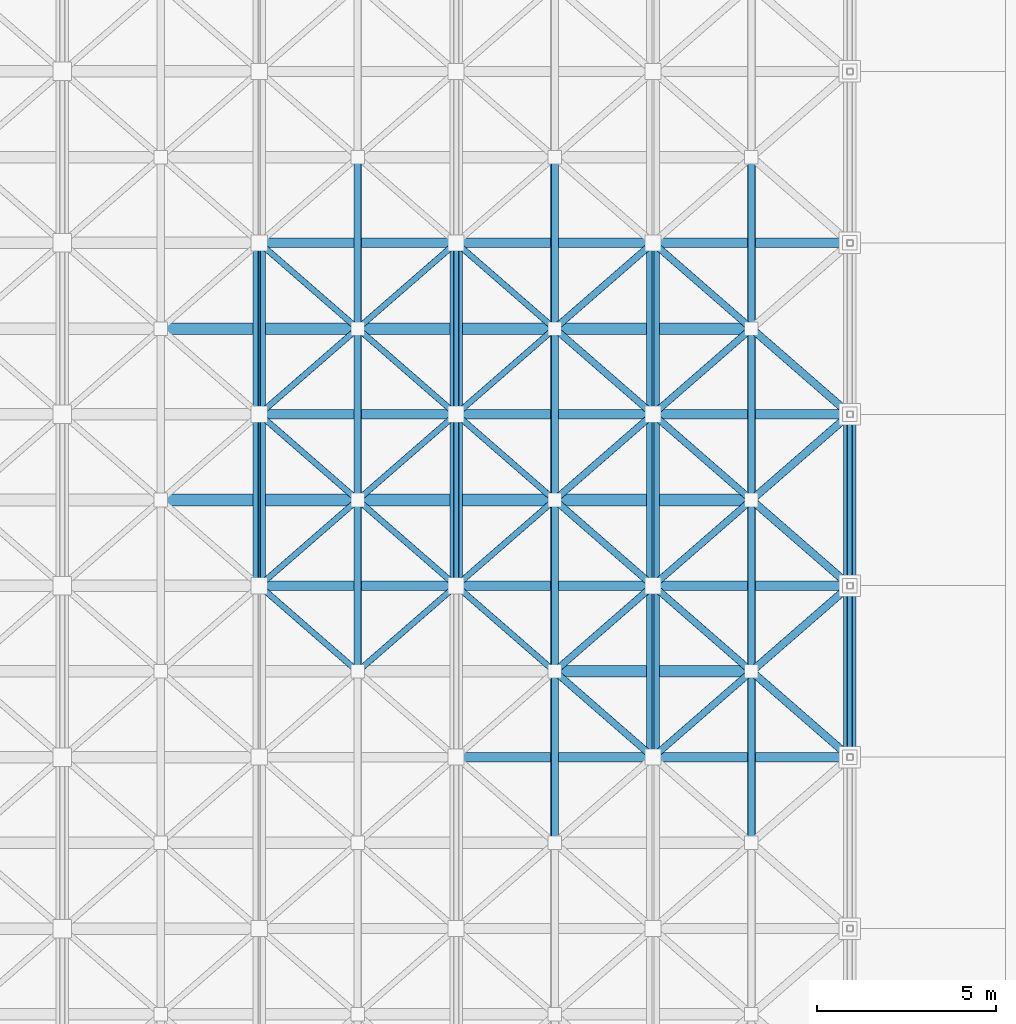
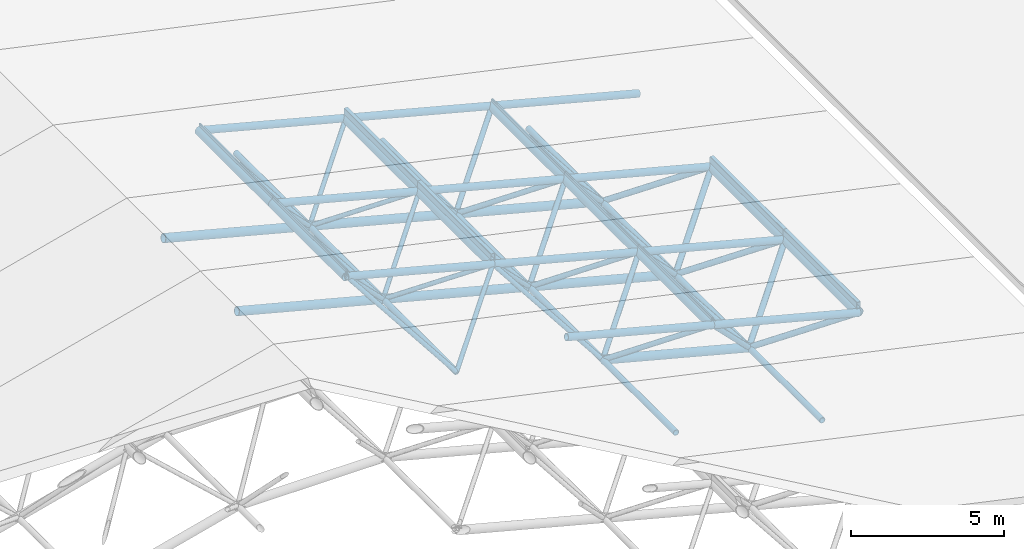
# One storey, part 6 of 60: 79 members.
"""IFC4 building model written with IfcOpenShell, lengths in metres."""

from ifc_helpers import new_model, si_unit, direction, frame, origin, origin_2d, place, context, subcontext, project, spatial, hollow_rectangle, hollow_circle, extrude, material, material_profile, profile_set, type_object, element, save


model = new_model("IFC4")

# Units and contexts
model_context = context("Model", 3, precision=1e-05, world=origin(), true_north=direction((0.0, 1.0)))
body_context = subcontext(model_context, "Body", "Model", "MODEL_VIEW")
ifc_project = project(units=[si_unit("LENGTHUNIT", "METRE"), si_unit("AREAUNIT", "SQUARE_METRE"), si_unit("VOLUMEUNIT", "CUBIC_METRE"), si_unit("PLANEANGLEUNIT", "RADIAN"), si_unit("MASSUNIT", "GRAM", prefix="KILO")], contexts=[model_context])

# Site, building, storey
site_placement = place(None, origin())
site = spatial("IfcSite", under=ifc_project, at=site_placement, CompositionType="ELEMENT")
building_placement = place(site_placement, origin())
building = spatial("IfcBuilding", under=site, at=building_placement, Name="Nakhvara Creek Congress Hotel", CompositionType="ELEMENT")
storey_placement = place(building_placement, frame((0.0, 0.0, 54.60009765625)))
storey = spatial("IfcBuildingStorey", under=building, at=storey_placement, Name="RL1", CompositionType="ELEMENT", Elevation=54.60009765625)

# Members
ifc_material = material(Name="Steel S355J2H", Category="steel")
ifc_material_profile_1 = material_profile(ifc_material, hollow_circle(Radius=0.084228515625, WallThickness=0.010009765625, at=origin_2d()), Name="CHS 168.3x10.0", Category="LoadBearing")
ifc_profile_set_1 = profile_set([ifc_material_profile_1], Name="Steel S355J2H")
member_type_1 = type_object("IfcMemberType", Name="MEM-BRC-CHS168H", PredefinedType="BRACE", material=ifc_profile_set_1)
member_1_placement = place(storey_placement, frame((39.46875, 50.39990234375, -34.050048828125), z_axis=(-0.558223547657, 0.486084649868, 0.672389904746), x_axis=(-0.656696195101, -0.754155227616, 0.0)))
element("IfcMember", 1, at=member_1_placement, inside=storey, type_object=member_type_1, Name="Congress Space Frame Web Diagonal 0371", PredefinedType="BRACE", context=body_context, shape_type="SweptSolid", body=[
    extrude(hollow_circle(Radius=0.084228515625, WallThickness=0.010009765625, at=origin_2d()), origin(), (0.0, 0.0, 1.0), 4.937744140625),
])
member_2_placement = place(storey_placement, frame((39.46875, 50.39990234375, -34.050048828125), z_axis=(0.670643902083, 0.583976988608, 0.45739220957), x_axis=(-0.656696195101, 0.754155227616, 0.0)))
element("IfcMember", 2, at=member_2_placement, inside=storey, type_object=member_type_1, Name="Congress Space Frame Web Diagonal 0372", PredefinedType="BRACE", context=body_context, shape_type="SweptSolid", body=[
    extrude(hollow_circle(Radius=0.084228515625, WallThickness=0.010009765625, at=origin_2d()), origin(), (0.0, 0.0, 1.0), 4.110107421875),
])
for number, where, z_axis, x_axis, name in (
    (3, (44.981201171875, 50.39990234375, -35.489990234375), (-0.558208068284, 0.486114227947, 0.672381372355), (-0.656729278158, -0.754126418587, 0.0), "Congress Space Frame Web Diagonal 0377"),
    (4, (39.46875, 55.199951171875, -34.050048828125), (-0.558236963804, -0.486046886997, 0.672406064728), (0.656658200939, -0.754188310132, 0.0), "Congress Space Frame Web Diagonal 0416"),
):
    element("IfcMember", number, at=place(storey_placement, frame(where, z_axis=z_axis, x_axis=x_axis)), inside=storey, type_object=member_type_1, Name=name, PredefinedType="BRACE", context=body_context, shape_type="SweptSolid", body=[
        extrude(hollow_circle(Radius=0.084228515625, WallThickness=0.010009765625, at=origin_2d()), origin(), (0.0, 0.0, 1.0), 4.9375),
    ])
member_3_placement = place(storey_placement, frame((39.46875, 55.199951171875, -34.050048828125), z_axis=(0.670667166184, -0.583937842656, 0.457408076139), x_axis=(0.656658200939, 0.754188310132, 0.0)))
element("IfcMember", 5, at=member_3_placement, inside=storey, type_object=member_type_1, Name="Congress Space Frame Web Diagonal 0417", PredefinedType="BRACE", context=body_context, shape_type="SweptSolid", body=[
    extrude(hollow_circle(Radius=0.084228515625, WallThickness=0.010009765625, at=origin_2d()), origin(), (0.0, 0.0, 1.0), 4.10986328125),
])
member_4_placement = place(storey_placement, frame((39.46875, 55.199951171875, -34.050048828125), z_axis=(-0.558223547657, 0.486084649868, 0.672389904746), x_axis=(-0.656696195101, -0.754155227616, 0.0)))
element("IfcMember", 6, at=member_4_placement, inside=storey, type_object=member_type_1, Name="Congress Space Frame Web Diagonal 0418", PredefinedType="BRACE", context=body_context, shape_type="SweptSolid", body=[
    extrude(hollow_circle(Radius=0.084228515625, WallThickness=0.010009765625, at=origin_2d()), origin(), (0.0, 0.0, 1.0), 4.937744140625),
])
member_5_placement = place(storey_placement, frame((39.46875, 55.199951171875, -34.050048828125), z_axis=(0.670643902083, 0.583976988608, 0.45739220957), x_axis=(-0.656696195101, 0.754155227616, 0.0)))
element("IfcMember", 7, at=member_5_placement, inside=storey, type_object=member_type_1, Name="Congress Space Frame Web Diagonal 0419", PredefinedType="BRACE", context=body_context, shape_type="SweptSolid", body=[
    extrude(hollow_circle(Radius=0.084228515625, WallThickness=0.010009765625, at=origin_2d()), origin(), (0.0, 0.0, 1.0), 4.110107421875),
])
member_6_placement = place(storey_placement, frame((44.981201171875, 55.199951171875, -35.489990234375), z_axis=(-0.558221485692, -0.4860764642, 0.672397534099), x_axis=(0.656691284984, -0.754159503173, 0.0)))
element("IfcMember", 8, at=member_6_placement, inside=storey, type_object=member_type_1, Name="Congress Space Frame Web Diagonal 0422", PredefinedType="BRACE", context=body_context, shape_type="SweptSolid", body=[
    extrude(hollow_circle(Radius=0.084228515625, WallThickness=0.010009765625, at=origin_2d()), origin(), (0.0, 0.0, 1.0), 4.937255859375),
])
for number, where, z_axis, x_axis, name in (
    (9, (44.981201171875, 55.199951171875, -35.489990234375), (-0.558208068284, 0.486114227947, 0.672381372355), (-0.656729278158, -0.754126418587, 0.0), "Congress Space Frame Web Diagonal 0424"),
    (10, (39.46875, 60.0, -34.050048828125), (-0.558236963804, -0.486046886997, 0.672406064728), (0.656658200939, -0.754188310132, 0.0), "Congress Space Frame Web Diagonal 0463"),
):
    element("IfcMember", number, at=place(storey_placement, frame(where, z_axis=z_axis, x_axis=x_axis)), inside=storey, type_object=member_type_1, Name=name, PredefinedType="BRACE", context=body_context, shape_type="SweptSolid", body=[
        extrude(hollow_circle(Radius=0.084228515625, WallThickness=0.010009765625, at=origin_2d()), origin(), (0.0, 0.0, 1.0), 4.9375),
    ])
member_7_placement = place(storey_placement, frame((39.46875, 60.0, -34.050048828125), z_axis=(0.670667166184, -0.583937842656, 0.457408076139), x_axis=(0.656658200939, 0.754188310132, 0.0)))
element("IfcMember", 11, at=member_7_placement, inside=storey, type_object=member_type_1, Name="Congress Space Frame Web Diagonal 0464", PredefinedType="BRACE", context=body_context, shape_type="SweptSolid", body=[
    extrude(hollow_circle(Radius=0.084228515625, WallThickness=0.010009765625, at=origin_2d()), origin(), (0.0, 0.0, 1.0), 4.10986328125),
])
member_8_placement = place(storey_placement, frame((39.46875, 60.0, -34.050048828125), z_axis=(-0.558236963804, 0.486046886997, 0.672406064728), x_axis=(-0.656658200939, -0.754188310132, 0.0)))
element("IfcMember", 12, at=member_8_placement, inside=storey, type_object=member_type_1, Name="Congress Space Frame Web Diagonal 0465", PredefinedType="BRACE", context=body_context, shape_type="SweptSolid", body=[
    extrude(hollow_circle(Radius=0.084228515625, WallThickness=0.010009765625, at=origin_2d()), origin(), (0.0, 0.0, 1.0), 4.9375),
])
member_9_placement = place(storey_placement, frame((39.46875, 60.0, -34.050048828125), z_axis=(0.670667166184, 0.583937842656, 0.457408076139), x_axis=(-0.656658200939, 0.754188310132, 0.0)))
element("IfcMember", 13, at=member_9_placement, inside=storey, type_object=member_type_1, Name="Congress Space Frame Web Diagonal 0466", PredefinedType="BRACE", context=body_context, shape_type="SweptSolid", body=[
    extrude(hollow_circle(Radius=0.084228515625, WallThickness=0.010009765625, at=origin_2d()), origin(), (0.0, 0.0, 1.0), 4.10986328125),
])
for number, where, z_axis, x_axis, name in (
    (14, (44.981201171875, 60.0, -35.489990234375), (-0.558221485692, -0.4860764642, 0.672397534099), (0.656691284984, -0.754159503173, 0.0), "Congress Space Frame Web Diagonal 0469"),
    (15, (44.981201171875, 60.0, -35.489990234375), (-0.558221485692, 0.4860764642, 0.672397534099), (-0.656691284984, -0.754159503173, 0.0), "Congress Space Frame Web Diagonal 0471"),
):
    element("IfcMember", number, at=place(storey_placement, frame(where, z_axis=z_axis, x_axis=x_axis)), inside=storey, type_object=member_type_1, Name=name, PredefinedType="BRACE", context=body_context, shape_type="SweptSolid", body=[
        extrude(hollow_circle(Radius=0.084228515625, WallThickness=0.010009765625, at=origin_2d()), origin(), (0.0, 0.0, 1.0), 4.937255859375),
    ])
ifc_material_profile_2 = material_profile(ifc_material, hollow_circle(Radius=0.096923828125, WallThickness=0.010009765625, at=origin_2d()), Name="CHS 193.7x10.0", Category="LoadBearing")
ifc_profile_set_2 = profile_set([ifc_material_profile_2], Name="Steel S355J2H")
member_type_2 = type_object("IfcMemberType", Name="MEM-BRC-CHS193", PredefinedType="BRACE", material=ifc_profile_set_2)
member_10_placement = place(storey_placement, frame((44.981201171875, 50.39990234375, -35.489990234375), z_axis=(0.670667166184, -0.583937842656, 0.457408076139), x_axis=(0.656658200939, 0.754188310132, 0.0)))
element("IfcMember", 16, at=member_10_placement, inside=storey, type_object=member_type_2, Name="Congress Space Frame Web Diagonal 0376", PredefinedType="BRACE", context=body_context, shape_type="SweptSolid", body=[
    extrude(hollow_circle(Radius=0.096923828125, WallThickness=0.010009765625, at=origin_2d()), origin(), (0.0, 0.0, 1.0), 4.10986328125),
])
member_11_placement = place(storey_placement, frame((44.981201171875, 50.39990234375, -35.489990234375), z_axis=(0.670643902083, 0.583976988608, 0.45739220957), x_axis=(-0.656696195101, 0.754155227616, 0.0)))
element("IfcMember", 17, at=member_11_placement, inside=storey, type_object=member_type_2, Name="Congress Space Frame Web Diagonal 0378", PredefinedType="BRACE", context=body_context, shape_type="SweptSolid", body=[
    extrude(hollow_circle(Radius=0.096923828125, WallThickness=0.010009765625, at=origin_2d()), origin(), (0.0, 0.0, 1.0), 4.110107421875),
])
for number, where, z_axis, x_axis, name in (
    (18, (50.49365234375, 50.39990234375, -36.93017578125), (-0.558202925689, -0.486060302908, 0.672424624541), (0.656691284984, -0.754159503173, 0.0), "Congress Space Frame Web Diagonal 0380"),
    (19, (50.49365234375, 50.39990234375, -36.93017578125), (-0.558189509619, 0.486098066176, 0.672408463221), (-0.656729278158, -0.754126418587, 0.0), "Congress Space Frame Web Diagonal 0382"),
):
    element("IfcMember", number, at=place(storey_placement, frame(where, z_axis=z_axis, x_axis=x_axis)), inside=storey, type_object=member_type_2, Name=name, PredefinedType="BRACE", context=body_context, shape_type="SweptSolid", body=[
        extrude(hollow_circle(Radius=0.096923828125, WallThickness=0.010009765625, at=origin_2d()), origin(), (0.0, 0.0, 1.0), 4.9375),
    ])
member_12_placement = place(storey_placement, frame((44.981201171875, 55.199951171875, -35.489990234375), z_axis=(0.670667166184, -0.583937842656, 0.457408076139), x_axis=(0.656658200939, 0.754188310132, 0.0)))
element("IfcMember", 20, at=member_12_placement, inside=storey, type_object=member_type_2, Name="Congress Space Frame Web Diagonal 0423", PredefinedType="BRACE", context=body_context, shape_type="SweptSolid", body=[
    extrude(hollow_circle(Radius=0.096923828125, WallThickness=0.010009765625, at=origin_2d()), origin(), (0.0, 0.0, 1.0), 4.10986328125),
])
member_13_placement = place(storey_placement, frame((44.981201171875, 55.199951171875, -35.489990234375), z_axis=(0.670643902083, 0.583976988608, 0.45739220957), x_axis=(-0.656696195101, 0.754155227616, 0.0)))
element("IfcMember", 21, at=member_13_placement, inside=storey, type_object=member_type_2, Name="Congress Space Frame Web Diagonal 0425", PredefinedType="BRACE", context=body_context, shape_type="SweptSolid", body=[
    extrude(hollow_circle(Radius=0.096923828125, WallThickness=0.010009765625, at=origin_2d()), origin(), (0.0, 0.0, 1.0), 4.110107421875),
])
for number, where, z_axis, x_axis, name in (
    (22, (50.49365234375, 55.199951171875, -36.93017578125), (-0.558202925689, -0.486060302908, 0.672424624541), (0.656691284984, -0.754159503173, 0.0), "Congress Space Frame Web Diagonal 0427"),
    (23, (50.49365234375, 55.199951171875, -36.93017578125), (-0.558189509619, 0.486098066176, 0.672408463221), (-0.656729278158, -0.754126418587, 0.0), "Congress Space Frame Web Diagonal 0429"),
):
    element("IfcMember", number, at=place(storey_placement, frame(where, z_axis=z_axis, x_axis=x_axis)), inside=storey, type_object=member_type_2, Name=name, PredefinedType="BRACE", context=body_context, shape_type="SweptSolid", body=[
        extrude(hollow_circle(Radius=0.096923828125, WallThickness=0.010009765625, at=origin_2d()), origin(), (0.0, 0.0, 1.0), 4.9375),
    ])
for number, where, z_axis, x_axis, name in (
    (24, (44.981201171875, 60.0, -35.489990234375), (0.670667166184, -0.583937842656, 0.457408076139), (0.656658200939, 0.754188310132, 0.0), "Congress Space Frame Web Diagonal 0470"),
    (25, (44.981201171875, 60.0, -35.489990234375), (0.670667166184, 0.583937842656, 0.457408076139), (-0.656658200939, 0.754188310132, 0.0), "Congress Space Frame Web Diagonal 0472"),
):
    element("IfcMember", number, at=place(storey_placement, frame(where, z_axis=z_axis, x_axis=x_axis)), inside=storey, type_object=member_type_2, Name=name, PredefinedType="BRACE", context=body_context, shape_type="SweptSolid", body=[
        extrude(hollow_circle(Radius=0.096923828125, WallThickness=0.010009765625, at=origin_2d()), origin(), (0.0, 0.0, 1.0), 4.10986328125),
    ])
for number, where, z_axis, x_axis, name in (
    (26, (50.49365234375, 60.0, -36.93017578125), (-0.558202925689, -0.486060302908, 0.672424624541), (0.656691284984, -0.754159503173, 0.0), "Congress Space Frame Web Diagonal 0474"),
    (27, (50.49365234375, 60.0, -36.93017578125), (-0.558202925689, 0.486060302908, 0.672424624541), (-0.656691284984, -0.754159503173, 0.0), "Congress Space Frame Web Diagonal 0476"),
):
    element("IfcMember", number, at=place(storey_placement, frame(where, z_axis=z_axis, x_axis=x_axis)), inside=storey, type_object=member_type_2, Name=name, PredefinedType="BRACE", context=body_context, shape_type="SweptSolid", body=[
        extrude(hollow_circle(Radius=0.096923828125, WallThickness=0.010009765625, at=origin_2d()), origin(), (0.0, 0.0, 1.0), 4.9375),
    ])
ifc_material_profile_3 = material_profile(ifc_material, hollow_circle(Radius=0.109619140625, WallThickness=0.010009765625, at=origin_2d()), Name="CHS 219.1x10.0", Category="LoadBearing")
ifc_profile_set_3 = profile_set([ifc_material_profile_3], Name="Steel S355J2H")
member_type_3 = type_object("IfcMemberType", Name="MEM-BRC-CHS219", PredefinedType="BRACE", material=ifc_profile_set_3)
member_14_placement = place(storey_placement, frame((50.49365234375, 50.39990234375, -36.93017578125), z_axis=(0.670648942571, -0.583921975684, 0.457455049313), x_axis=(0.656658200939, 0.754188310132, 0.0)))
element("IfcMember", 28, at=member_14_placement, inside=storey, type_object=member_type_3, Name="Congress Space Frame Web Diagonal 0381", PredefinedType="BRACE", context=body_context, shape_type="SweptSolid", body=[
    extrude(hollow_circle(Radius=0.109619140625, WallThickness=0.010009765625, at=origin_2d()), origin(), (0.0, 0.0, 1.0), 4.10986328125),
])
member_15_placement = place(storey_placement, frame((50.49365234375, 50.39990234375, -36.93017578125), z_axis=(0.670625680367, 0.583961121673, 0.457439181976), x_axis=(-0.656696195101, 0.754155227616, 0.0)))
element("IfcMember", 29, at=member_15_placement, inside=storey, type_object=member_type_3, Name="Congress Space Frame Web Diagonal 0383", PredefinedType="BRACE", context=body_context, shape_type="SweptSolid", body=[
    extrude(hollow_circle(Radius=0.109619140625, WallThickness=0.010009765625, at=origin_2d()), origin(), (0.0, 0.0, 1.0), 4.110107421875),
])
member_16_placement = place(storey_placement, frame((50.49365234375, 55.199951171875, -36.93017578125), z_axis=(0.670648942571, -0.583921975684, 0.457455049313), x_axis=(0.656658200939, 0.754188310132, 0.0)))
element("IfcMember", 30, at=member_16_placement, inside=storey, type_object=member_type_3, Name="Congress Space Frame Web Diagonal 0428", PredefinedType="BRACE", context=body_context, shape_type="SweptSolid", body=[
    extrude(hollow_circle(Radius=0.109619140625, WallThickness=0.010009765625, at=origin_2d()), origin(), (0.0, 0.0, 1.0), 4.10986328125),
])
member_17_placement = place(storey_placement, frame((50.49365234375, 55.199951171875, -36.93017578125), z_axis=(0.670625680367, 0.583961121673, 0.457439181976), x_axis=(-0.656696195101, 0.754155227616, 0.0)))
element("IfcMember", 31, at=member_17_placement, inside=storey, type_object=member_type_3, Name="Congress Space Frame Web Diagonal 0430", PredefinedType="BRACE", context=body_context, shape_type="SweptSolid", body=[
    extrude(hollow_circle(Radius=0.109619140625, WallThickness=0.010009765625, at=origin_2d()), origin(), (0.0, 0.0, 1.0), 4.110107421875),
])
member_18_placement = place(storey_placement, frame((50.49365234375, 60.0, -36.93017578125), z_axis=(0.670648942571, -0.583921975684, 0.457455049313), x_axis=(0.656658200939, 0.754188310132, 0.0)))
element("IfcMember", 32, at=member_18_placement, inside=storey, type_object=member_type_3, Name="Congress Space Frame Web Diagonal 0475", PredefinedType="BRACE", context=body_context, shape_type="SweptSolid", body=[
    extrude(hollow_circle(Radius=0.109619140625, WallThickness=0.010009765625, at=origin_2d()), origin(), (0.0, 0.0, 1.0), 4.10986328125),
])
ifc_material_profile_4 = material_profile(ifc_material, hollow_circle(Radius=0.109619140625, WallThickness=0.012451171875, at=origin_2d()), Name="CHS 219.1x12.5", Category="LoadBearing")
ifc_profile_set_4 = profile_set([ifc_material_profile_4], Name="Steel S355J2H")
member_type_4 = type_object("IfcMemberType", Name="MEM-CHD-CHS219H", PredefinedType="CHORD", material=ifc_profile_set_4)
for number, where, z_axis, x_axis, name in (
    (33, (44.981201171875, 45.60009765625, -35.489990234375), (0.0, 1.0, 0.0), (-1.0, 0.0, 0.0), "Congress Roof Truss Bottom Tie 0327"),
    (34, (50.49365234375, 45.60009765625, -36.93017578125), (0.0, 1.0, 0.0), (-1.0, 0.0, 0.0), "Congress Roof Truss Bottom Tie 0332"),
):
    element("IfcMember", number, at=place(storey_placement, frame(where, z_axis=z_axis, x_axis=x_axis)), inside=storey, type_object=member_type_4, Name=name, PredefinedType="CHORD", context=body_context, shape_type="SweptSolid", body=[
        extrude(hollow_circle(Radius=0.109619140625, WallThickness=0.012451171875, at=origin_2d()), origin(), (0.0, 0.0, 1.0), 4.7998046875),
    ])
for number, where, z_axis, x_axis, name in (
    (35, (39.46875, 50.39990234375, -34.050048828125), (0.0, 1.0, 0.0), (-1.0, 0.0, 0.0), "Congress Roof Truss Bottom Tie 0368"),
    (36, (44.981201171875, 50.39990234375, -35.489990234375), (0.0, 1.0, 0.0), (-1.0, 0.0, 0.0), "Congress Roof Truss Bottom Tie 0374"),
    (37, (50.49365234375, 50.39990234375, -36.93017578125), (0.0, 1.0, 0.0), (-1.0, 0.0, 0.0), "Congress Roof Truss Bottom Tie 0379"),
    (38, (39.46875, 55.199951171875, -34.050048828125), (0.0, 1.0, 0.0), (-1.0, 0.0, 0.0), "Congress Roof Truss Bottom Tie 0415"),
    (39, (44.981201171875, 55.199951171875, -35.489990234375), (0.0, 1.0, 0.0), (-1.0, 0.0, 0.0), "Congress Roof Truss Bottom Tie 0421"),
    (40, (50.49365234375, 55.199951171875, -36.93017578125), (0.0, 1.0, 0.0), (-1.0, 0.0, 0.0), "Congress Roof Truss Bottom Tie 0426"),
    (41, (39.46875, 60.0, -34.050048828125), (0.0, 1.0, 0.0), (-1.0, 0.0, 0.0), "Congress Roof Truss Bottom Tie 0462"),
    (42, (44.981201171875, 60.0, -35.489990234375), (0.0, 1.0, 0.0), (-1.0, 0.0, 0.0), "Congress Roof Truss Bottom Tie 0468"),
    (43, (50.49365234375, 60.0, -36.93017578125), (0.0, 1.0, 0.0), (-1.0, 0.0, 0.0), "Congress Roof Truss Bottom Tie 0473"),
):
    element("IfcMember", number, at=place(storey_placement, frame(where, z_axis=z_axis, x_axis=x_axis)), inside=storey, type_object=member_type_4, Name=name, PredefinedType="CHORD", context=body_context, shape_type="SweptSolid", body=[
        extrude(hollow_circle(Radius=0.109619140625, WallThickness=0.012451171875, at=origin_2d()), origin(), (0.0, 0.0, 1.0), 4.800048828125),
    ])
ifc_material_profile_5 = material_profile(ifc_material, hollow_circle(Radius=0.136474609375, WallThickness=0.01611328125, at=origin_2d()), Name="CHS 273.0x16.0", Category="LoadBearing")
ifc_profile_set_5 = profile_set([ifc_material_profile_5], Name="Steel S355J2H")
member_type_5 = type_object("IfcMemberType", Name="MEM-CHD-CHS273H", PredefinedType="CHORD", material=ifc_profile_set_5)
for number, where, z_axis, x_axis, name in (
    (44, (42.22509765625, 48.0, -32.170166015625), (0.967535311358, 0.0, -0.252735872554), (0.0, 1.0, 0.0), "Congress Space Frame Top Chord 0064"),
    (45, (47.737548828125, 48.0, -33.610107421875), (0.967535311358, 0.0, -0.252735872554), (0.0, 1.0, 0.0), "Congress Space Frame Top Chord 0066"),
):
    element("IfcMember", number, at=place(storey_placement, frame(where, z_axis=z_axis, x_axis=x_axis)), inside=storey, type_object=member_type_5, Name=name, PredefinedType="CHORD", context=body_context, shape_type="SweptSolid", body=[
        extrude(hollow_circle(Radius=0.136474609375, WallThickness=0.01611328125, at=origin_2d()), origin(), (0.0, 0.0, 1.0), 5.697509765625),
    ])
member_19_placement = place(storey_placement, frame((36.71240234375, 52.800048828125, -30.72998046875), z_axis=(0.967527570021, 0.0, -0.252765506446), x_axis=(0.0, 1.0, 0.0)))
element("IfcMember", 46, at=member_19_placement, inside=storey, type_object=member_type_5, Name="Congress Space Frame Top Chord 0079", PredefinedType="CHORD", context=body_context, shape_type="SweptSolid", body=[
    extrude(hollow_circle(Radius=0.136474609375, WallThickness=0.01611328125, at=origin_2d()), origin(), (0.0, 0.0, 1.0), 5.69775390625),
])
for number, where, z_axis, x_axis, name in (
    (47, (42.22509765625, 52.800048828125, -32.170166015625), (0.967535311358, 0.0, -0.252735872554), (0.0, 1.0, 0.0), "Congress Space Frame Top Chord 0081"),
    (48, (47.737548828125, 52.800048828125, -33.610107421875), (0.967535311358, 0.0, -0.252735872554), (0.0, 1.0, 0.0), "Congress Space Frame Top Chord 0083"),
):
    element("IfcMember", number, at=place(storey_placement, frame(where, z_axis=z_axis, x_axis=x_axis)), inside=storey, type_object=member_type_5, Name=name, PredefinedType="CHORD", context=body_context, shape_type="SweptSolid", body=[
        extrude(hollow_circle(Radius=0.136474609375, WallThickness=0.01611328125, at=origin_2d()), origin(), (0.0, 0.0, 1.0), 5.697509765625),
    ])
member_20_placement = place(storey_placement, frame((36.71240234375, 57.60009765625, -30.72998046875), z_axis=(0.967527570021, 0.0, -0.252765506446), x_axis=(0.0, 1.0, 0.0)))
element("IfcMember", 49, at=member_20_placement, inside=storey, type_object=member_type_5, Name="Congress Space Frame Top Chord 0096", PredefinedType="CHORD", context=body_context, shape_type="SweptSolid", body=[
    extrude(hollow_circle(Radius=0.136474609375, WallThickness=0.01611328125, at=origin_2d()), origin(), (0.0, 0.0, 1.0), 5.69775390625),
])
for number, where, z_axis, x_axis, name in (
    (50, (42.22509765625, 57.60009765625, -32.170166015625), (0.967535311358, 0.0, -0.252735872554), (0.0, 1.0, 0.0), "Congress Space Frame Top Chord 0098"),
    (51, (47.737548828125, 57.60009765625, -33.610107421875), (0.967535311358, 0.0, -0.252735872554), (0.0, 1.0, 0.0), "Congress Space Frame Top Chord 0100"),
):
    element("IfcMember", number, at=place(storey_placement, frame(where, z_axis=z_axis, x_axis=x_axis)), inside=storey, type_object=member_type_5, Name=name, PredefinedType="CHORD", context=body_context, shape_type="SweptSolid", body=[
        extrude(hollow_circle(Radius=0.136474609375, WallThickness=0.01611328125, at=origin_2d()), origin(), (0.0, 0.0, 1.0), 5.697509765625),
    ])
member_21_placement = place(storey_placement, frame((36.71240234375, 62.39990234375, -30.72998046875), z_axis=(0.967527570021, 0.0, -0.252765506446), x_axis=(0.0, 1.0, 0.0)))
element("IfcMember", 52, at=member_21_placement, inside=storey, type_object=member_type_5, Name="Congress Space Frame Top Chord 0113", PredefinedType="CHORD", context=body_context, shape_type="SweptSolid", body=[
    extrude(hollow_circle(Radius=0.136474609375, WallThickness=0.01611328125, at=origin_2d()), origin(), (0.0, 0.0, 1.0), 5.69775390625),
])
for number, where, z_axis, x_axis, name in (
    (53, (42.22509765625, 62.39990234375, -32.170166015625), (0.967535311358, 0.0, -0.252735872554), (0.0, 1.0, 0.0), "Congress Space Frame Top Chord 0115"),
    (54, (47.737548828125, 62.39990234375, -33.610107421875), (0.967535311358, 0.0, -0.252735872554), (0.0, 1.0, 0.0), "Congress Space Frame Top Chord 0117"),
):
    element("IfcMember", number, at=place(storey_placement, frame(where, z_axis=z_axis, x_axis=x_axis)), inside=storey, type_object=member_type_5, Name=name, PredefinedType="CHORD", context=body_context, shape_type="SweptSolid", body=[
        extrude(hollow_circle(Radius=0.136474609375, WallThickness=0.01611328125, at=origin_2d()), origin(), (0.0, 0.0, 1.0), 5.697509765625),
    ])
ifc_material_profile_6 = material_profile(ifc_material, hollow_circle(Radius=0.161865234375, WallThickness=0.012451171875, at=origin_2d()), Name="CHS 323.9x12.5", Category="LoadBearing")
ifc_profile_set_6 = profile_set([ifc_material_profile_6], Name="Steel S355J2H")
member_type_6 = type_object("IfcMemberType", Name="MEM-CHD-CHS324", PredefinedType="CHORD", material=ifc_profile_set_6)
for number, where, z_axis, x_axis, name in (
    (55, (44.981201171875, 50.39990234375, -35.489990234375), (0.967524832219, 0.0, -0.252775985883), (0.0, 1.0, 0.0), "Congress Space Frame Bottom Chord 0373"),
    (56, (33.956298828125, 55.199951171875, -32.610107421875), (0.967535311358, 0.0, -0.252735872554), (0.0, 1.0, 0.0), "Congress Space Frame Bottom Chord 0408"),
    (57, (39.46875, 55.199951171875, -34.050048828125), (0.967535311358, 0.0, -0.252735872554), (0.0, 1.0, 0.0), "Congress Space Frame Bottom Chord 0414"),
    (58, (44.981201171875, 55.199951171875, -35.489990234375), (0.967524832219, 0.0, -0.252775985883), (0.0, 1.0, 0.0), "Congress Space Frame Bottom Chord 0420"),
    (59, (33.956298828125, 60.0, -32.610107421875), (0.967535311358, 0.0, -0.252735872554), (0.0, 1.0, 0.0), "Congress Space Frame Bottom Chord 0455"),
    (60, (39.46875, 60.0, -34.050048828125), (0.967535311358, 0.0, -0.252735872554), (0.0, 1.0, 0.0), "Congress Space Frame Bottom Chord 0461"),
    (61, (44.981201171875, 60.0, -35.489990234375), (0.967524832219, 0.0, -0.252775985883), (0.0, 1.0, 0.0), "Congress Space Frame Bottom Chord 0467"),
):
    element("IfcMember", number, at=place(storey_placement, frame(where, z_axis=z_axis, x_axis=x_axis)), inside=storey, type_object=member_type_6, Name=name, PredefinedType="CHORD", context=body_context, shape_type="SweptSolid", body=[
        extrude(hollow_circle(Radius=0.161865234375, WallThickness=0.012451171875, at=origin_2d()), origin(), (0.0, 0.0, 1.0), 5.697509765625),
    ])
ifc_material_profile_7 = material_profile(ifc_material, hollow_circle(Radius=0.177734375, WallThickness=0.01611328125, at=origin_2d()), Name="CHS 355.6x16.0", Category="LoadBearing")
ifc_profile_set_7 = profile_set([ifc_material_profile_7], Name="Steel S355J2H")
member_type_7 = type_object("IfcMemberType", Name="MEM-CHD-CHS355", PredefinedType="CHORD", material=ifc_profile_set_7)
for number, where, z_axis, x_axis, name in (
    (62, (47.737548828125, 48.0, -33.610107421875), (0.0, 1.0, 0.0), (-1.0, 0.0, 0.0), "Congress Roof Truss Longitudinal Chord 0067"),
    (63, (53.25, 48.0, -35.050048828125), (0.0, 1.0, 0.0), (-1.0, 0.0, 0.0), "Congress Roof Truss Longitudinal Chord 0068"),
    (64, (36.71240234375, 52.800048828125, -30.72998046875), (0.0, 1.0, 0.0), (-1.0, 0.0, 0.0), "Congress Roof Truss Longitudinal Chord 0080"),
    (65, (42.22509765625, 52.800048828125, -32.170166015625), (0.0, 1.0, 0.0), (-1.0, 0.0, 0.0), "Congress Roof Truss Longitudinal Chord 0082"),
    (66, (47.737548828125, 52.800048828125, -33.610107421875), (0.0, 1.0, 0.0), (-1.0, 0.0, 0.0), "Congress Roof Truss Longitudinal Chord 0084"),
    (67, (53.25, 52.800048828125, -35.050048828125), (0.0, 1.0, 0.0), (-1.0, 0.0, 0.0), "Congress Roof Truss Longitudinal Chord 0085"),
):
    element("IfcMember", number, at=place(storey_placement, frame(where, z_axis=z_axis, x_axis=x_axis)), inside=storey, type_object=member_type_7, Name=name, PredefinedType="CHORD", context=body_context, shape_type="SweptSolid", body=[
        extrude(hollow_circle(Radius=0.177734375, WallThickness=0.01611328125, at=origin_2d()), origin(), (0.0, 0.0, 1.0), 4.800048828125),
    ])
for number, where, z_axis, x_axis, name in (
    (68, (36.71240234375, 57.60009765625, -30.72998046875), (0.0, 1.0, 0.0), (-1.0, 0.0, 0.0), "Congress Roof Truss Longitudinal Chord 0097"),
    (69, (42.22509765625, 57.60009765625, -32.170166015625), (0.0, 1.0, 0.0), (-1.0, 0.0, 0.0), "Congress Roof Truss Longitudinal Chord 0099"),
    (70, (47.737548828125, 57.60009765625, -33.610107421875), (0.0, 1.0, 0.0), (-1.0, 0.0, 0.0), "Congress Roof Truss Longitudinal Chord 0101"),
):
    element("IfcMember", number, at=place(storey_placement, frame(where, z_axis=z_axis, x_axis=x_axis)), inside=storey, type_object=member_type_7, Name=name, PredefinedType="CHORD", context=body_context, shape_type="SweptSolid", body=[
        extrude(hollow_circle(Radius=0.177734375, WallThickness=0.01611328125, at=origin_2d()), origin(), (0.0, 0.0, 1.0), 4.7998046875),
    ])
ifc_material_profile_8 = material_profile(ifc_material, hollow_rectangle(XDim=0.06005859375, YDim=0.1201171875, WallThickness=0.0048828125, InnerFilletRadius=0.0048828125, OuterFilletRadius=0.010009765625, at=origin_2d()), Name="RHS 120x60x5.0", Category="LoadBearing")
ifc_profile_set_8 = profile_set([ifc_material_profile_8], Name="Steel S355J2H")
member_type_8 = type_object("IfcMemberType", Name="MEM-PUR-RHS120", PredefinedType="PURLIN", material=ifc_profile_set_8)
member_22_placement = place(storey_placement, frame((36.71240234375, 52.800048828125, -30.498046875), z_axis=(0.0, 1.0, 0.0), x_axis=(-1.0, 0.0, 0.0)))
element("IfcMember", 71, at=member_22_placement, inside=storey, type_object=member_type_8, Name="Congress Roof Purlin 060", PredefinedType="PURLIN", context=body_context, shape_type="SweptSolid", body=[
    extrude(hollow_rectangle(XDim=0.06005859375, YDim=0.1201171875, WallThickness=0.0048828125, InnerFilletRadius=0.0048828125, OuterFilletRadius=0.010009765625, at=origin_2d()), origin(), (0.0, 0.0, 1.0), 4.800048828125),
])
member_23_placement = place(storey_placement, frame((36.71240234375, 57.60009765625, -30.498046875), z_axis=(0.0, 1.0, 0.0), x_axis=(-1.0, 0.0, 0.0)))
element("IfcMember", 72, at=member_23_placement, inside=storey, type_object=member_type_8, Name="Congress Roof Purlin 061", PredefinedType="PURLIN", context=body_context, shape_type="SweptSolid", body=[
    extrude(hollow_rectangle(XDim=0.06005859375, YDim=0.1201171875, WallThickness=0.0048828125, InnerFilletRadius=0.0048828125, OuterFilletRadius=0.010009765625, at=origin_2d()), origin(), (0.0, 0.0, 1.0), 4.7998046875),
])
for number, where, z_axis, x_axis, name in (
    (73, (47.737548828125, 48.0, -33.378173828125), (0.0, 1.0, 0.0), (-1.0, 0.0, 0.0), "Congress Roof Purlin 081"),
    (74, (47.737548828125, 52.800048828125, -33.378173828125), (0.0, 1.0, 0.0), (-1.0, 0.0, 0.0), "Congress Roof Purlin 082"),
):
    element("IfcMember", number, at=place(storey_placement, frame(where, z_axis=z_axis, x_axis=x_axis)), inside=storey, type_object=member_type_8, Name=name, PredefinedType="PURLIN", context=body_context, shape_type="SweptSolid", body=[
        extrude(hollow_rectangle(XDim=0.06005859375, YDim=0.1201171875, WallThickness=0.0048828125, InnerFilletRadius=0.0048828125, OuterFilletRadius=0.010009765625, at=origin_2d()), origin(), (0.0, 0.0, 1.0), 4.800048828125),
    ])
member_24_placement = place(storey_placement, frame((47.737548828125, 57.60009765625, -33.378173828125), z_axis=(0.0, 1.0, 0.0), x_axis=(-1.0, 0.0, 0.0)))
element("IfcMember", 75, at=member_24_placement, inside=storey, type_object=member_type_8, Name="Congress Roof Purlin 083", PredefinedType="PURLIN", context=body_context, shape_type="SweptSolid", body=[
    extrude(hollow_rectangle(XDim=0.06005859375, YDim=0.1201171875, WallThickness=0.0048828125, InnerFilletRadius=0.0048828125, OuterFilletRadius=0.010009765625, at=origin_2d()), origin(), (0.0, 0.0, 1.0), 4.7998046875),
])
ifc_material_profile_9 = material_profile(ifc_material, hollow_rectangle(XDim=0.14990234375, YDim=0.25, WallThickness=0.010009765625, InnerFilletRadius=0.010009765625, OuterFilletRadius=0.02001953125, at=origin_2d()), Name="RHS 250x150x10.0", Category="LoadBearing")
ifc_profile_set_9 = profile_set([ifc_material_profile_9], Name="Steel S355J2H")
member_type_9 = type_object("IfcMemberType", Name="MEM-PUR-RHS250", PredefinedType="PURLIN", material=ifc_profile_set_9)
member_25_placement = place(storey_placement, frame((42.22509765625, 52.800048828125, -31.873046875), z_axis=(0.0, 1.0, 0.0), x_axis=(-1.0, 0.0, 0.0)))
element("IfcMember", 76, at=member_25_placement, inside=storey, type_object=member_type_9, Name="Congress Roof Purlin 071", PredefinedType="PURLIN", context=body_context, shape_type="SweptSolid", body=[
    extrude(hollow_rectangle(XDim=0.14990234375, YDim=0.25, WallThickness=0.010009765625, InnerFilletRadius=0.010009765625, OuterFilletRadius=0.02001953125, at=origin_2d()), origin(), (0.0, 0.0, 1.0), 4.800048828125),
])
member_26_placement = place(storey_placement, frame((42.22509765625, 57.60009765625, -31.873046875), z_axis=(0.0, 1.0, 0.0), x_axis=(-1.0, 0.0, 0.0)))
element("IfcMember", 77, at=member_26_placement, inside=storey, type_object=member_type_9, Name="Congress Roof Purlin 072", PredefinedType="PURLIN", context=body_context, shape_type="SweptSolid", body=[
    extrude(hollow_rectangle(XDim=0.14990234375, YDim=0.25, WallThickness=0.010009765625, InnerFilletRadius=0.010009765625, OuterFilletRadius=0.02001953125, at=origin_2d()), origin(), (0.0, 0.0, 1.0), 4.7998046875),
])
for number, where, z_axis, x_axis, name in (
    (78, (53.25, 48.0, -34.753173828125), (0.0, 1.0, 0.0), (-1.0, 0.0, 0.0), "Congress Roof Purlin 092"),
    (79, (53.25, 52.800048828125, -34.753173828125), (0.0, 1.0, 0.0), (-1.0, 0.0, 0.0), "Congress Roof Purlin 093"),
):
    element("IfcMember", number, at=place(storey_placement, frame(where, z_axis=z_axis, x_axis=x_axis)), inside=storey, type_object=member_type_9, Name=name, PredefinedType="PURLIN", context=body_context, shape_type="SweptSolid", body=[
        extrude(hollow_rectangle(XDim=0.14990234375, YDim=0.25, WallThickness=0.010009765625, InnerFilletRadius=0.010009765625, OuterFilletRadius=0.02001953125, at=origin_2d()), origin(), (0.0, 0.0, 1.0), 4.800048828125),
    ])

save(model, "model.ifc")
